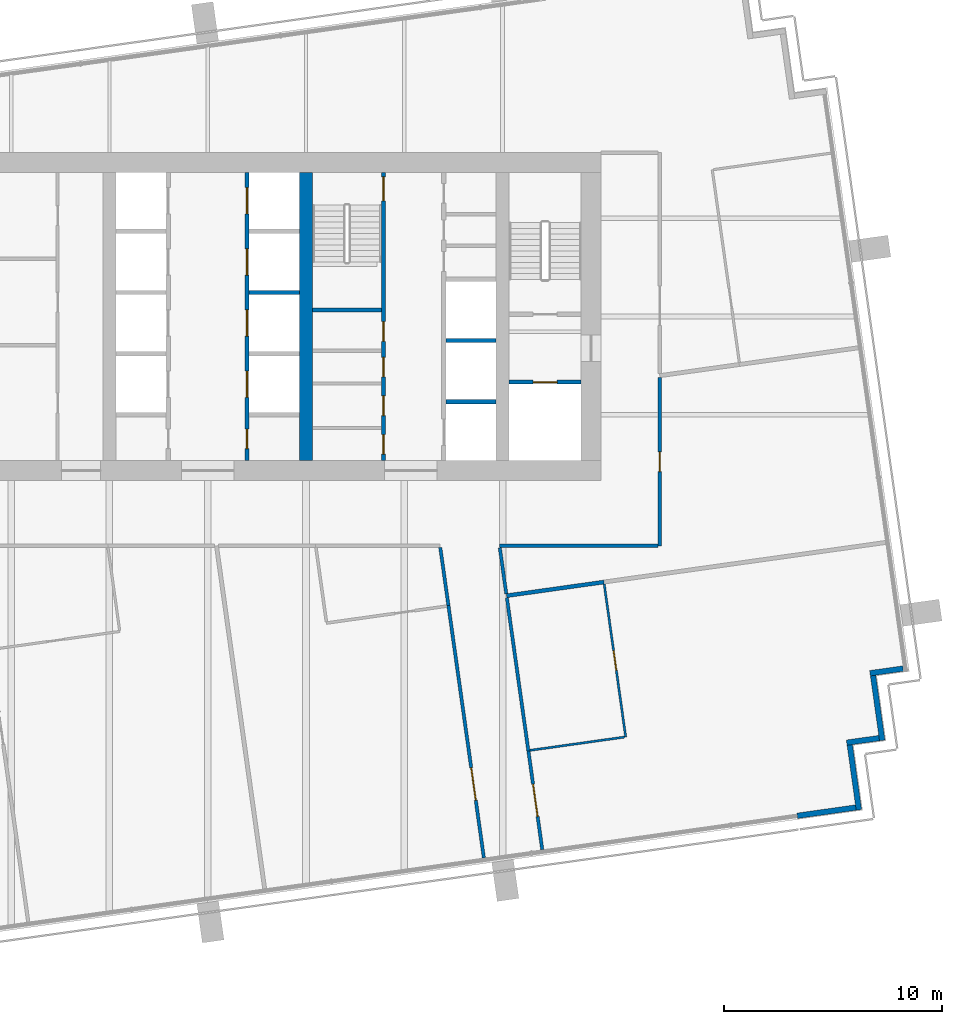
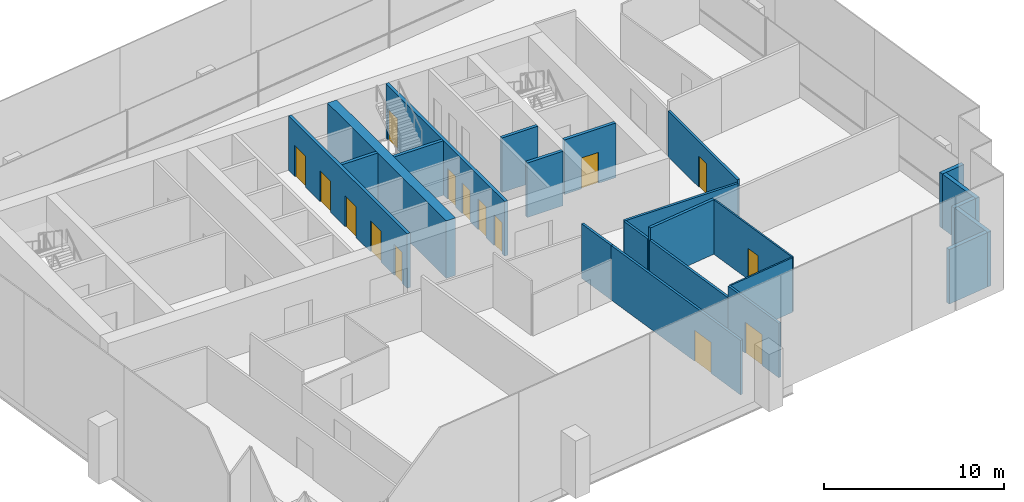
# One storey, part 10 of 17: 23 walls, 15 doors, 15 openings.
"""IFC4 building model written with IfcOpenShell, lengths in metres."""

import ifcopenshell
import ifcopenshell.guid

model = None  # the IFC model being written
_history = None  # IfcOwnerHistory: only IFC2X3 demands one
_inside = {}  # id of a spatial element -> (the spatial element, [elements in it])
_under = {}  # id of a project, library or spatial element -> (it, [spatial elements below it])
_declared = {}  # id of a project -> (the project, [libraries it declares])
_typed = {}  # id of a type object -> (the type object, [elements of that type])
_made_of = {}  # id of a material, layer set ... -> (it, [elements and type objects made of it])


def new_model(schema):
    """Start an empty IFC model of exactly this schema.

    Asked for "IFC4X3", IfcOpenShell would pick the latest addendum, in which some entities
    have other attributes; the version numbers below select the first issue.
    IFC2X3 requires an IfcOwnerHistory on every rooted entity: one is made here for all.
    """
    global model, _history
    if schema == "IFC4X3":
        model = ifcopenshell.file(schema_version=(4, 3, 0, 0))
    else:
        model = ifcopenshell.file(schema=schema)
    _inside.clear()
    _under.clear()
    _declared.clear()
    _typed.clear()
    _made_of.clear()
    _history = None
    if model.schema == "IFC2X3":
        org = make("IfcOrganization", Name="unknown")
        user = make(
            "IfcPersonAndOrganization",
            ThePerson=make("IfcPerson", FamilyName="unknown"),
            TheOrganization=org,
        )
        app = make(
            "IfcApplication",
            ApplicationDeveloper=org,
            Version="unknown",
            ApplicationFullName="unknown",
            ApplicationIdentifier="unknown",
        )
        _history = make(
            "IfcOwnerHistory",
            OwningUser=user,
            OwningApplication=app,
            ChangeAction="ADDED",
            CreationDate=0,
        )
    return model


def make(cls, **values):
    """One entity of the class cls with the attributes given. An attribute that is None is left unset."""
    return model.create_entity(
        cls, **{name: value for name, value in values.items() if value is not None}
    )


def rooted(cls, **values):
    """An entity with a GlobalId (a new one), such as an element, a storey or a relation."""
    return make(cls, GlobalId=ifcopenshell.guid.new(), OwnerHistory=_history, **values)


def si_unit(unit_type, name, prefix=None):
    """IfcSIUnit, for example si_unit("LENGTHUNIT", "METRE", prefix="MILLI")."""
    return make("IfcSIUnit", UnitType=unit_type, Prefix=prefix, Name=name)


def assignment(units):
    """IfcUnitAssignment: the units of a project."""
    return None if units is None else make("IfcUnitAssignment", Units=units)


def point(xyz):
    """IfcCartesianPoint."""
    return None if xyz is None else make("IfcCartesianPoint", Coordinates=xyz)


def direction(xyz):
    """IfcDirection."""
    return None if xyz is None else make("IfcDirection", DirectionRatios=xyz)


def frame(location, z_axis=None, x_axis=None):
    """IfcAxis2Placement3D, a coordinate frame: its origin and axes. An axis left out is left unset."""
    return make(
        "IfcAxis2Placement3D",
        Location=point(location),
        Axis=direction(z_axis),
        RefDirection=direction(x_axis),
    )


def frame_2d(location, x_axis=None):
    """IfcAxis2Placement2D, a coordinate frame in the plane: its origin and x axis."""
    return make(
        "IfcAxis2Placement2D", Location=point(location), RefDirection=direction(x_axis)
    )


def origin():
    """The frame at (0, 0, 0) with its axes left unset."""
    return frame((0.0, 0.0, 0.0))


def place(relative_to, where):
    """IfcLocalPlacement: puts the frame where relative to a parent placement (None: the world)."""
    return make(
        "IfcLocalPlacement", PlacementRelTo=relative_to, RelativePlacement=where
    )


def context(
    kind, dimensions, precision=None, world=None, true_north=None, identifier=None
):
    """IfcGeometricRepresentationContext, for example the 3D "Model" context."""
    return make(
        "IfcGeometricRepresentationContext",
        ContextIdentifier=identifier,
        ContextType=kind,
        CoordinateSpaceDimension=dimensions,
        Precision=precision,
        WorldCoordinateSystem=world,
        TrueNorth=true_north,
    )


def subcontext(parent, identifier, kind, view, scale=None):
    """IfcGeometricRepresentationSubContext, for example "Body" below "Model"."""
    return make(
        "IfcGeometricRepresentationSubContext",
        ContextIdentifier=identifier,
        ContextType=kind,
        ParentContext=parent,
        TargetScale=scale,
        TargetView=view,
    )


def project(units=None, contexts=None):
    """IfcProject with its units and contexts."""
    return rooted(
        "IfcProject",
        Name="project",
        RepresentationContexts=contexts,
        UnitsInContext=assignment(units),
    )


def spatial(cls, under=None, at=None, **own):
    """A site, building, storey or space (cls), placed at a placement, below another one or the project."""
    s = rooted(cls, ObjectPlacement=at, **own)
    if under is not None:
        _under.setdefault(under.id(), (under, []))[1].append(s)
    return s


def profile(cls, at=None, kind="AREA", **sizes):
    """A parametric profile (cls). Its sizes go by their IFC names, for example OverallWidth=200.0."""
    return make(cls, ProfileType=kind, Position=at, **sizes)


def rectangle(**sizes):
    """IfcRectangleProfileDef."""
    return profile("IfcRectangleProfileDef", **sizes)


def extrude(swept, where, along, depth):
    """IfcExtrudedAreaSolid: the profile swept, set in the frame where, extruded along a direction by depth."""
    return make(
        "IfcExtrudedAreaSolid",
        SweptArea=swept,
        Position=where,
        ExtrudedDirection=direction(along),
        Depth=depth,
    )


def shape(context_of_items, identifier, shape_type, items):
    """IfcShapeRepresentation: the items that make up one representation, for example the "Body"."""
    return make(
        "IfcShapeRepresentation",
        ContextOfItems=context_of_items,
        RepresentationIdentifier=identifier,
        RepresentationType=shape_type,
        Items=items,
    )


def material(Name=None, Category=None):
    """IfcMaterial."""
    return make("IfcMaterial", Name=Name, Category=Category)


def layer(
    of_material, thickness, ventilated=None, Name=None, Category=None, Priority=None
):
    """IfcMaterialLayer: one layer of a wall or slab, of a material (None: an air gap)."""
    return make(
        "IfcMaterialLayer",
        Material=of_material,
        LayerThickness=thickness,
        IsVentilated=ventilated,
        Name=Name,
        Category=Category,
        Priority=Priority,
    )


def layer_set(layers, Name=None):
    """IfcMaterialLayerSet."""
    return make("IfcMaterialLayerSet", MaterialLayers=layers, LayerSetName=Name)


def made_of(thing, what):
    """Note that an element or type object is made of a material, layer set ...; save() writes the relation."""
    if what is not None:
        _made_of.setdefault(what.id(), (what, []))[1].append(thing)
    return thing


def type_object(cls, material=None, **own):
    """A type object (cls), such as IfcWallType, which elements share."""
    return made_of(rooted(cls, **own), material)


def element(
    cls,
    number,
    at=None,
    inside=None,
    cuts=None,
    type_object=None,
    material=None,
    context=None,
    identifier="Body",
    shape_type=None,
    held_by="IfcProductDefinitionShape",
    body=None,
    shapes=None,
    **own,
):
    """One element of the class cls, such as IfcWall. Its Tag is "e" and its number.

    at: its placement. inside: the storey or other place that contains it. cuts: it is an
    opening in that element (IfcRelVoidsElement). A single representation is given by context,
    identifier, shape_type and body (its items); several are given by shapes. held_by: the class
    of the entity that holds the representations. save() writes the other relations.
    """
    e = rooted(cls, Tag="e%d" % number, ObjectPlacement=at, **own)
    if body is not None:
        shapes = [shape(context, identifier, shape_type, body)]
    if shapes is not None:
        e.Representation = make(held_by, Representations=shapes)
    if inside is not None:
        _inside.setdefault(inside.id(), (inside, []))[1].append(e)
    if cuts is not None:
        rooted(
            "IfcRelVoidsElement", RelatingBuildingElement=cuts, RelatedOpeningElement=e
        )
    if type_object is not None:
        _typed.setdefault(type_object.id(), (type_object, []))[1].append(e)
    return made_of(e, material)


def fill(opening, filler):
    """IfcRelFillsElement: the door or window that sits in an opening."""
    return rooted(
        "IfcRelFillsElement",
        RelatingOpeningElement=opening,
        RelatedBuildingElement=filler,
    )


def aggregate(whole, parts):
    """IfcRelAggregates: a whole, such as a stair, and the parts it consists of."""
    return rooted("IfcRelAggregates", RelatingObject=whole, RelatedObjects=parts)


def save(model, path):
    """Write the relations noted so far, then the file.

    IfcRelAggregates (storeys below a building ...), IfcRelContainedInSpatialStructure (elements
    in a storey), IfcRelDefinesByType, IfcRelAssociatesMaterial and IfcRelDeclares: one each for
    every whole, place, type object, material and project.
    """
    for whole, parts in _under.values():
        aggregate(whole, parts)
    for where, things in _inside.values():
        rooted(
            "IfcRelContainedInSpatialStructure",
            RelatedElements=things,
            RelatingStructure=where,
        )
    for kind, things in _typed.values():
        rooted("IfcRelDefinesByType", RelatedObjects=things, RelatingType=kind)
    for what, things in _made_of.values():
        rooted("IfcRelAssociatesMaterial", RelatedObjects=things, RelatingMaterial=what)
    for by, libraries in _declared.values():
        rooted("IfcRelDeclares", RelatingContext=by, RelatedDefinitions=libraries)
    model.write(path)


model = new_model("IFC4")

# Units and contexts
model_context = context("Model", 3, precision=1e-05, world=origin(), true_north=direction((0.0, 1.0)))
body_context = subcontext(model_context, "Body", "Model", "MODEL_VIEW")
ifc_project = project(units=[si_unit("LENGTHUNIT", "METRE"), si_unit("AREAUNIT", "SQUARE_METRE"), si_unit("VOLUMEUNIT", "CUBIC_METRE"), si_unit("PLANEANGLEUNIT", "RADIAN"), si_unit("MASSUNIT", "GRAM", prefix="KILO")], contexts=[model_context])

# Site, building, storey
site_placement = place(None, origin())
site = spatial("IfcSite", under=ifc_project, at=site_placement, CompositionType="ELEMENT")
building_placement = place(site_placement, origin())
building = spatial("IfcBuilding", under=site, at=building_placement, Name="Rattan Terrace Tower", CompositionType="ELEMENT")
storey_placement = place(building_placement, frame((0.0, 0.0, 236.89990234375)))
storey = spatial("IfcBuildingStorey", under=building, at=storey_placement, Name="L54", CompositionType="ELEMENT", Elevation=236.89990234375)

# Wall, opening, door
ifc_material_1 = material(Name="Gypsum board partition")
ifc_layer_1 = layer(ifc_material_1, 0.199951171875)
ifc_layer_set_1 = layer_set([ifc_layer_1], Name="Core partition 200")
wall_type_1 = type_object("IfcWallType", Name="Core partition 200", PredefinedType="PARTITIONING", material=ifc_layer_set_1)
wall_1_placement = place(storey_placement, frame((13.800048828125, -3.0, 0.0), z_axis=(0.0, 0.0, 1.0), x_axis=(1.0, 0.0, 0.0)))
wall_1 = element("IfcWall", 1, at=wall_1_placement, inside=storey, type_object=wall_type_1, Name="Fire-fighting lobby wall", PredefinedType="PARTITIONING", context=body_context, shape_type="SweptSolid", body=[
    extrude(rectangle(XDim=3.300048828125, YDim=0.199951171875, at=frame_2d((1.64990234375, 0.0))), origin(), (0.0, 0.0, 1.0), 3.7001953125),
])
opening_1_placement = place(wall_1_placement, frame((1.10009765625, 0.0, 0.0)))
opening_1 = element("IfcOpeningElement", 2, at=opening_1_placement, cuts=wall_1, Name="Opening L54-LD-FF2", PredefinedType="OPENING", context=body_context, shape_type="SweptSolid", body=[
    extrude(rectangle(XDim=1.10009765625, YDim=2.10009765625, at=frame_2d((0.550048828125, 1.050048828125))), frame((0.0, 0.110595703125, 0.0), z_axis=(0.0, -1.0, 0.0), x_axis=(1.0, 0.0, 0.0)), (0.0, 0.0, 1.0), 0.220947265625),
])
ifc_material_2 = material(Name="Brushed stainless landing door panel")
door_type_1 = type_object("IfcDoorType", Name="Core lift landing door 1100", OperationType="DOUBLE_DOOR_SLIDING", PredefinedType="DOOR", material=ifc_material_2)
door_1_placement = place(opening_1_placement, origin())
door_1 = element("IfcDoor", 3, at=door_1_placement, inside=storey, type_object=door_type_1, Name="Door L54-LD-FF2", OperationType="DOUBLE_DOOR_SLIDING", OverallHeight=2.10009765625, OverallWidth=1.10009765625, PredefinedType="DOOR", context=body_context, shape_type="SweptSolid", body=[
    extrude(rectangle(XDim=1.10009765625, YDim=2.10009765625, at=frame_2d((0.550048828125, 1.050048828125))), frame((0.0, 0.02490234375, 0.0), z_axis=(0.0, -1.0, 0.0), x_axis=(1.0, 0.0, 0.0)), (0.0, 0.0, 1.0), 0.050048828125),
])
fill(opening_1, door_1)

# Wall, openings, doors
wall_2_placement = place(storey_placement, frame((8.050048828125, -6.60009765625, 0.0), z_axis=(0.0, 0.0, 1.0), x_axis=(0.0, 1.0, 0.0)))
wall_2 = element("IfcWall", 4, at=wall_2_placement, inside=storey, type_object=wall_type_1, Name="Lobby wall west", PredefinedType="PARTITIONING", context=body_context, shape_type="SweptSolid", body=[
    extrude(rectangle(XDim=13.2001953125, YDim=0.199951171875, at=frame_2d((6.60009765625, 0.0))), origin(), (0.0, 0.0, 1.0), 3.7001953125),
])
opening_2_placement = place(wall_2_placement, frame((0.298095703125, 0.0, 0.0)))
opening_2 = element("IfcOpeningElement", 5, at=opening_2_placement, cuts=wall_2, Name="Opening L54-D012", PredefinedType="OPENING", context=body_context, shape_type="SweptSolid", body=[
    extrude(rectangle(XDim=0.89990234375, YDim=2.10009765625, at=frame_2d((0.449951171875, 1.050048828125))), frame((0.0, 0.110595703125, 0.0), z_axis=(0.0, -1.0, 0.0), x_axis=(1.0, 0.0, 0.0)), (0.0, 0.0, 1.0), 0.220947265625),
])
opening_3_placement = place(wall_2_placement, frame((2.06591796875, 0.0, 0.0)))
opening_3 = element("IfcOpeningElement", 6, at=opening_3_placement, cuts=wall_2, Name="Opening L54-D013", PredefinedType="OPENING", context=body_context, shape_type="SweptSolid", body=[
    extrude(rectangle(XDim=0.89990234375, YDim=2.10009765625, at=frame_2d((0.449951171875, 1.050048828125))), frame((0.0, 0.110595703125, 0.0), z_axis=(0.0, -1.0, 0.0), x_axis=(1.0, 0.0, 0.0)), (0.0, 0.0, 1.0), 0.220947265625),
])
opening_4_placement = place(wall_2_placement, frame((3.833984375, 0.0, 0.0)))
opening_4 = element("IfcOpeningElement", 7, at=opening_4_placement, cuts=wall_2, Name="Opening L54-D014", PredefinedType="OPENING", context=body_context, shape_type="SweptSolid", body=[
    extrude(rectangle(XDim=0.89990234375, YDim=2.10009765625, at=frame_2d((0.449951171875, 1.050048828125))), frame((0.0, 0.110595703125, 0.0), z_axis=(0.0, -1.0, 0.0), x_axis=(1.0, 0.0, 0.0)), (0.0, 0.0, 1.0), 0.220947265625),
])
opening_5_placement = place(wall_2_placement, frame((5.466064453125, 0.0, 0.0)))
opening_5 = element("IfcOpeningElement", 8, at=opening_5_placement, cuts=wall_2, Name="Opening L54-D015", PredefinedType="OPENING", context=body_context, shape_type="SweptSolid", body=[
    extrude(rectangle(XDim=0.89990234375, YDim=2.10009765625, at=frame_2d((0.449951171875, 1.050048828125))), frame((0.0, 0.110595703125, 0.0), z_axis=(0.0, -1.0, 0.0), x_axis=(1.0, 0.0, 0.0)), (0.0, 0.0, 1.0), 0.220947265625),
])
opening_6_placement = place(wall_2_placement, frame((11.89990234375, 0.0, 0.0)))
opening_6 = element("IfcOpeningElement", 9, at=opening_6_placement, cuts=wall_2, Name="Opening L54-D016", PredefinedType="OPENING", context=body_context, shape_type="SweptSolid", body=[
    extrude(rectangle(XDim=1.10009765625, YDim=2.10009765625, at=frame_2d((0.550048828125, 1.050048828125))), frame((0.0, 0.110595703125, 0.0), z_axis=(0.0, -1.0, 0.0), x_axis=(1.0, 0.0, 0.0)), (0.0, 0.0, 1.0), 0.220947265625),
])
ifc_material_3 = material(Name="Hollow-metal fire door leaf")
door_type_2 = type_object("IfcDoorType", Name="Core service room door 900", OperationType="NOTDEFINED", PredefinedType="DOOR", material=ifc_material_3)
door_2_placement = place(opening_5_placement, origin())
door_2 = element("IfcDoor", 10, at=door_2_placement, inside=storey, type_object=door_type_2, Name="Door L54-D015", OperationType="SINGLE_SWING_LEFT", OverallHeight=2.10009765625, OverallWidth=0.89990234375, PredefinedType="DOOR", context=body_context, shape_type="SweptSolid", body=[
    extrude(rectangle(XDim=0.89990234375, YDim=2.10009765625, at=frame_2d((0.449951171875, 1.050048828125))), frame((0.0, 0.02490234375, 0.0), z_axis=(0.0, -1.0, 0.0), x_axis=(1.0, 0.0, 0.0)), (0.0, 0.0, 1.0), 0.050048828125),
])
fill(opening_5, door_2)
ifc_material_4 = material(Name="Hollow-metal fire door leaf")
door_type_3 = type_object("IfcDoorType", Name="Core stair door 1100", OperationType="NOTDEFINED", PredefinedType="DOOR", material=ifc_material_4)
door_3_placement = place(opening_6_placement, origin())
door_3 = element("IfcDoor", 11, at=door_3_placement, inside=storey, type_object=door_type_3, Name="Door L54-D016", OperationType="SINGLE_SWING_RIGHT", OverallHeight=2.10009765625, OverallWidth=1.10009765625, PredefinedType="DOOR", context=body_context, shape_type="SweptSolid", body=[
    extrude(rectangle(XDim=1.10009765625, YDim=2.10009765625, at=frame_2d((0.550048828125, 1.050048828125))), frame((0.0, 0.02490234375, 0.0), z_axis=(0.0, -1.0, 0.0), x_axis=(1.0, 0.0, 0.0)), (0.0, 0.0, 1.0), 0.050048828125),
])
fill(opening_6, door_3)
ifc_material_5 = material(Name="Hollow-metal fire door leaf")
door_type_4 = type_object("IfcDoorType", Name="Core toilet door 900", OperationType="NOTDEFINED", PredefinedType="DOOR", material=ifc_material_5)
door_4_placement = place(opening_2_placement, origin())
door_4 = element("IfcDoor", 12, at=door_4_placement, inside=storey, type_object=door_type_4, Name="Door L54-D012", OperationType="SINGLE_SWING_RIGHT", OverallHeight=2.10009765625, OverallWidth=0.89990234375, PredefinedType="DOOR", context=body_context, shape_type="SweptSolid", body=[
    extrude(rectangle(XDim=0.89990234375, YDim=2.10009765625, at=frame_2d((0.449951171875, 1.050048828125))), frame((0.0, 0.02490234375, 0.0), z_axis=(0.0, -1.0, 0.0), x_axis=(1.0, 0.0, 0.0)), (0.0, 0.0, 1.0), 0.050048828125),
])
fill(opening_2, door_4)
door_5_placement = place(opening_3_placement, origin())
door_5 = element("IfcDoor", 13, at=door_5_placement, inside=storey, type_object=door_type_4, Name="Door L54-D013", OperationType="SINGLE_SWING_LEFT", OverallHeight=2.10009765625, OverallWidth=0.89990234375, PredefinedType="DOOR", context=body_context, shape_type="SweptSolid", body=[
    extrude(rectangle(XDim=0.89990234375, YDim=2.10009765625, at=frame_2d((0.449951171875, 1.050048828125))), frame((0.0, 0.02490234375, 0.0), z_axis=(0.0, -1.0, 0.0), x_axis=(1.0, 0.0, 0.0)), (0.0, 0.0, 1.0), 0.050048828125),
])
fill(opening_3, door_5)
door_6_placement = place(opening_4_placement, origin())
door_6 = element("IfcDoor", 14, at=door_6_placement, inside=storey, type_object=door_type_4, Name="Door L54-D014", OperationType="SINGLE_SWING_RIGHT", OverallHeight=2.10009765625, OverallWidth=0.89990234375, PredefinedType="DOOR", context=body_context, shape_type="SweptSolid", body=[
    extrude(rectangle(XDim=0.89990234375, YDim=2.10009765625, at=frame_2d((0.449951171875, 1.050048828125))), frame((0.0, 0.02490234375, 0.0), z_axis=(0.0, -1.0, 0.0), x_axis=(1.0, 0.0, 0.0)), (0.0, 0.0, 1.0), 0.050048828125),
])
fill(opening_4, door_6)

# Walls
wall_3_placement = place(storey_placement, frame((4.800048828125, 0.300048828125, 0.0), z_axis=(0.0, 0.0, 1.0), x_axis=(1.0, 0.0, 0.0)))
element("IfcWall", 15, at=wall_3_placement, inside=storey, type_object=wall_type_1, Name="Stair enclosure wall", PredefinedType="PARTITIONING", context=body_context, shape_type="SweptSolid", body=[
    extrude(rectangle(XDim=3.14990234375, YDim=0.199951171875, at=frame_2d((1.574951171875, 0.0))), origin(), (0.0, 0.0, 1.0), 3.7001953125),
])
ifc_material_6 = material(Name="Concrete C50/60", Category="concrete")
ifc_layer_2 = layer(ifc_material_6, 0.60009765625)
ifc_layer_set_2 = layer_set([ifc_layer_2], Name="Core spine wall 600 C50/60")
wall_type_2 = type_object("IfcWallType", Name="Core spine wall 600 C50/60", PredefinedType="SHEAR", material=ifc_layer_set_2)
wall_4_placement = place(storey_placement, frame((4.5, -6.60009765625, -0.199951171875), z_axis=(0.0, 0.0, 1.0), x_axis=(0.0, 1.0, 0.0)))
element("IfcWall", 16, at=wall_4_placement, inside=storey, type_object=wall_type_2, Name="Core spine wall 3", PredefinedType="SHEAR", context=body_context, shape_type="SweptSolid", body=[
    extrude(rectangle(XDim=13.2001953125, YDim=0.60009765625, at=frame_2d((6.60009765625, 0.0))), origin(), (0.0, 0.0, 1.0), 3.900146484375),
])
ifc_material_7 = material(Name="Insulated aluminium-clad stud wall", Category="aluminium")
ifc_layer_3 = layer(ifc_material_7, 0.25)
ifc_layer_set_3 = layer_set([ifc_layer_3], Name="Facade Riser Wall 250")
wall_type_3 = type_object("IfcWallType", Name="Facade Riser Wall 250", PredefinedType="SOLIDWALL", material=ifc_layer_set_3)
wall_5_placement = place(storey_placement, frame((26.995361328125, -22.858642578125, 0.0), z_axis=(0.0, 0.0, 1.0), x_axis=(0.99024510326, 0.139336411139, 0.0)))
element("IfcWall", 17, at=wall_5_placement, inside=storey, type_object=wall_type_3, Name="Riser wall L54-1", PredefinedType="SOLIDWALL", context=body_context, shape_type="SweptSolid", body=[
    extrude(rectangle(XDim=2.705322265625, YDim=0.25, at=frame_2d((1.3525390625, 0.0))), origin(), (0.0, 0.0, 1.0), 3.7001953125),
])
wall_6_placement = place(storey_placement, frame((29.8154296875, -22.588134765625, 0.0), z_axis=(0.0, 0.0, 1.0), x_axis=(-0.138983028379, 0.9902947631, 0.0)))
element("IfcWall", 18, at=wall_6_placement, inside=storey, type_object=wall_type_3, Name="Riser wall L54-2", PredefinedType="SOLIDWALL", context=body_context, shape_type="SweptSolid", body=[
    extrude(rectangle(XDim=3.000244140625, YDim=0.25, at=frame_2d((1.5, 0.0))), origin(), (0.0, 0.0, 1.0), 3.7001953125),
])
wall_7_placement = place(storey_placement, frame((29.25732421875, -19.510498046875, 0.0), z_axis=(0.0, 0.0, 1.0), x_axis=(0.990330117064, 0.138730887823, 0.0)))
element("IfcWall", 19, at=wall_7_placement, inside=storey, type_object=wall_type_3, Name="Riser wall L54-3", PredefinedType="SOLIDWALL", context=body_context, shape_type="SweptSolid", body=[
    extrude(rectangle(XDim=1.499267578125, YDim=0.25, at=frame_2d((0.74951171875, 0.0))), origin(), (0.0, 0.0, 1.0), 3.7001953125),
])
wall_8_placement = place(storey_placement, frame((30.88330078125, -19.408935546875, 0.0), z_axis=(0.0, 0.0, 1.0), x_axis=(-0.139324658755, 0.990246756855, 0.0)))
element("IfcWall", 20, at=wall_8_placement, inside=storey, type_object=wall_type_3, Name="Riser wall L54-4", PredefinedType="SOLIDWALL", context=body_context, shape_type="SweptSolid", body=[
    extrude(rectangle(XDim=3.0, YDim=0.25, at=frame_2d((1.5, 0.0))), origin(), (0.0, 0.0, 1.0), 3.7001953125),
])
wall_9_placement = place(storey_placement, frame((30.32421875, -16.331787109375, 0.0), z_axis=(0.0, 0.0, 1.0), x_axis=(0.990238641016, 0.139382329723, 0.0)))
element("IfcWall", 21, at=wall_9_placement, inside=storey, type_object=wall_type_3, Name="Riser wall L54-5", PredefinedType="SOLIDWALL", context=body_context, shape_type="SweptSolid", body=[
    extrude(rectangle(XDim=1.525634765625, YDim=0.25, at=frame_2d((0.7626953125, 0.0))), origin(), (0.0, 0.0, 1.0), 3.7001953125),
])
ifc_material_8 = material(Name="Double steel stud acoustic partition, gypsum board, mineral wool, fire rated", Category="steel")
ifc_layer_4 = layer(ifc_material_8, 0.179931640625)
ifc_layer_set_4 = layer_set([ifc_layer_4], Name="Floors Acoustic Party Wall 180")
wall_type_4 = type_object("IfcWallType", Name="Floors Acoustic Party Wall 180", PredefinedType="PARTITIONING", material=ifc_layer_set_4)
wall_10_placement = place(storey_placement, frame((13.68505859375, -12.782958984375, 0.0), z_axis=(0.0, 0.0, 1.0), x_axis=(0.99027667576, 0.139111845094, 0.0)))
element("IfcWall", 22, at=wall_10_placement, inside=storey, type_object=wall_type_4, Name="pt-L54-023", PredefinedType="PARTITIONING", context=body_context, shape_type="SweptSolid", body=[
    extrude(rectangle(XDim=4.499755859375, YDim=0.179931640625, at=frame_2d((2.25, 0.0))), origin(), (0.0, 0.0, 1.0), 3.7001953125),
])
ifc_material_9 = material(Name="Gypsum board partition on steel studs", Category="steel")
ifc_layer_5 = layer(ifc_material_9, 0.10009765625)
ifc_layer_set_5 = layer_set([ifc_layer_5], Name="Floors Partition 100")
wall_type_5 = type_object("IfcWallType", Name="Floors Partition 100", PredefinedType="PARTITIONING", material=ifc_layer_set_5)
wall_11_placement = place(storey_placement, frame((14.7548828125, -19.863037109375, 0.0), z_axis=(0.0, 0.0, 1.0), x_axis=(0.990258502699, 0.139241149923, 0.0)))
element("IfcWall", 23, at=wall_11_placement, inside=storey, type_object=wall_type_5, Name="pt-L54-020", PredefinedType="PARTITIONING", context=body_context, shape_type="SweptSolid", body=[
    extrude(rectangle(XDim=4.374755859375, YDim=0.10009765625, at=frame_2d((2.1875, 0.0))), origin(), (0.0, 0.0, 1.0), 3.7001953125),
])

# Wall, opening, door
wall_12_placement = place(storey_placement, frame((19.136962890625, -19.2470703125, 0.0), z_axis=(0.0, 0.0, 1.0), x_axis=(-0.139168056016, 0.990268777749, 0.0)))
wall_12 = element("IfcWall", 24, at=wall_12_placement, inside=storey, type_object=wall_type_5, Name="pt-L54-021", PredefinedType="PARTITIONING", context=body_context, shape_type="SweptSolid", body=[
    extrude(rectangle(XDim=7.06982421875, YDim=0.10009765625, at=frame_2d((3.534912109375, 0.0))), origin(), (0.0, 0.0, 1.0), 3.7001953125),
])
opening_7_placement = place(wall_12_placement, frame((3.0849609375, 0.0, 0.0)))
opening_7 = element("IfcOpeningElement", 25, at=opening_7_placement, cuts=wall_12, Name="Opening L54-D102", PredefinedType="OPENING", context=body_context, shape_type="SweptSolid", body=[
    extrude(rectangle(XDim=0.89990234375, YDim=2.10009765625, at=frame_2d((0.449951171875, 1.050048828125))), frame((0.0, 0.060546875, 0.0), z_axis=(0.0, -1.0, 0.0), x_axis=(1.0, 0.0, 0.0)), (0.0, 0.0, 1.0), 0.12109375),
])
ifc_material_10 = material(Name="Solid core timber door, painted", Category="wood")
door_type_5 = type_object("IfcDoorType", Name="Floors Door 900x2100", OperationType="NOTDEFINED", PredefinedType="DOOR", material=ifc_material_10)
door_7_placement = place(opening_7_placement, origin())
door_7 = element("IfcDoor", 26, at=door_7_placement, inside=storey, type_object=door_type_5, Name="d-L54-102", OperationType="SINGLE_SWING_LEFT", OverallHeight=2.10009765625, OverallWidth=0.89990234375, PredefinedType="DOOR", context=body_context, shape_type="SweptSolid", body=[
    extrude(rectangle(XDim=0.89990234375, YDim=2.10009765625, at=frame_2d((0.449951171875, 1.050048828125))), frame((0.0, 0.02490234375, 0.0), z_axis=(0.0, -1.0, 0.0), x_axis=(1.0, 0.0, 0.0)), (0.0, 0.0, 1.0), 0.050048828125),
])
fill(opening_7, door_7)

ifc_material_11 = material(Name="Gypsum board partition on steel studs, fire rated", Category="steel")
ifc_layer_6 = layer(ifc_material_11, 0.14990234375)
ifc_layer_set_6 = layer_set([ifc_layer_6], Name="Floors Tenancy Wall 150")
wall_type_6 = type_object("IfcWallType", Name="Floors Tenancy Wall 150", PredefinedType="PARTITIONING", material=ifc_layer_set_6)
wall_13_placement = place(storey_placement, frame((14.68310546875, -19.89306640625, 0.0), z_axis=(0.0, 0.0, 1.0), x_axis=(0.139247448871, -0.990257616978, 0.0)))
wall_13 = element("IfcWall", 27, at=wall_13_placement, inside=storey, type_object=wall_type_6, Name="pt-L54-004", PredefinedType="PARTITIONING", context=body_context, shape_type="SweptSolid", body=[
    extrude(rectangle(XDim=4.560302734375, YDim=0.14990234375, at=frame_2d((2.2802734375, 0.0))), origin(), (0.0, 0.0, 1.0), 3.7001953125),
])
opening_8_placement = place(wall_13_placement, frame((1.530029296875, 0.0, 0.0)))
opening_8 = element("IfcOpeningElement", 28, at=opening_8_placement, cuts=wall_13, Name="Opening L54-D101", PredefinedType="OPENING", context=body_context, shape_type="SweptSolid", body=[
    extrude(rectangle(XDim=1.5, YDim=2.10009765625, at=frame_2d((0.75, 1.050048828125))), frame((0.0, 0.08544921875, 0.0), z_axis=(0.0, -1.0, 0.0), x_axis=(1.0, 0.0, 0.0)), (0.0, 0.0, 1.0), 0.1708984375),
])
ifc_material_12 = material(Name="Steel fire door set", Category="steel")
door_type_6 = type_object("IfcDoorType", Name="Floors Unit Door Pair FD30S 1500x2100", OperationType="NOTDEFINED", PredefinedType="DOOR", material=ifc_material_12)
door_8_placement = place(opening_8_placement, origin())
door_8 = element("IfcDoor", 29, at=door_8_placement, inside=storey, type_object=door_type_6, Name="d-L54-101", OperationType="DOUBLE_DOOR_SINGLE_SWING", OverallHeight=2.10009765625, OverallWidth=1.5, PredefinedType="DOOR", context=body_context, shape_type="SweptSolid", body=[
    extrude(rectangle(XDim=1.5, YDim=2.10009765625, at=frame_2d((0.75, 1.050048828125))), frame((0.0, 0.02490234375, 0.0), z_axis=(0.0, -1.0, 0.0), x_axis=(1.0, 0.0, 0.0)), (0.0, 0.0, 1.0), 0.050048828125),
])
fill(opening_8, door_8)

# Walls
wall_14_placement = place(storey_placement, frame((13.696044921875, -12.8720703125, 0.0), z_axis=(0.0, 0.0, 1.0), x_axis=(0.139217899128, -0.990261771736, 0.0)))
element("IfcWall", 30, at=wall_14_placement, inside=storey, type_object=wall_type_6, Name="pt-L54-005", PredefinedType="PARTITIONING", context=body_context, shape_type="SweptSolid", body=[
    extrude(rectangle(XDim=7.090087890625, YDim=0.14990234375, at=frame_2d((3.544921875, 0.0))), origin(), (0.0, 0.0, 1.0), 2.900146484375),
])
wall_15_placement = place(storey_placement, frame((13.3740234375, -10.5859375, 0.0), z_axis=(0.0, 0.0, 1.0), x_axis=(0.13899652087, -0.990292869401, 0.0)))
element("IfcWall", 31, at=wall_15_placement, inside=storey, type_object=wall_type_6, Name="pt-L54-006", PredefinedType="PARTITIONING", context=body_context, shape_type="SweptSolid", body=[
    extrude(rectangle(XDim=2.12890625, YDim=0.14990234375, at=frame_2d((1.064453125, 0.0))), origin(), (0.0, 0.0, 1.0), 2.900146484375),
])
wall_16_placement = place(storey_placement, frame((20.625, -10.5, 0.0), z_axis=(0.0, 0.0, 1.0), x_axis=(-1.0, 0.0, 0.0)))
element("IfcWall", 32, at=wall_16_placement, inside=storey, type_object=wall_type_6, Name="pt-L54-007", PredefinedType="PARTITIONING", context=body_context, shape_type="SweptSolid", body=[
    extrude(rectangle(XDim=7.261962890625, YDim=0.14990234375, at=frame_2d((3.630859375, 0.0))), origin(), (0.0, 0.0, 1.0), 2.900146484375),
])

# Wall, opening, door
wall_17_placement = place(storey_placement, frame((20.699951171875, -2.797119140625, 0.0), z_axis=(0.0, 0.0, 1.0), x_axis=(0.0, -1.0, 0.0)))
wall_17 = element("IfcWall", 33, at=wall_17_placement, inside=storey, type_object=wall_type_6, Name="pt-L54-008", PredefinedType="PARTITIONING", context=body_context, shape_type="SweptSolid", body=[
    extrude(rectangle(XDim=7.702880859375, YDim=0.14990234375, at=frame_2d((3.8515625, 0.0))), origin(), (0.0, 0.0, 1.0), 3.10009765625),
])
opening_9_placement = place(wall_17_placement, frame((3.40087890625, 0.0, 0.0)))
opening_9 = element("IfcOpeningElement", 34, at=opening_9_placement, cuts=wall_17, Name="Opening L54-D103", PredefinedType="OPENING", context=body_context, shape_type="SweptSolid", body=[
    extrude(rectangle(XDim=0.89990234375, YDim=2.10009765625, at=frame_2d((0.449951171875, 1.050048828125))), frame((0.0, 0.08544921875, 0.0), z_axis=(0.0, -1.0, 0.0), x_axis=(1.0, 0.0, 0.0)), (0.0, 0.0, 1.0), 0.1708984375),
])
ifc_material_13 = material(Name="Steel fire door set", Category="steel")
door_type_7 = type_object("IfcDoorType", Name="Floors Fire Door FD30S 900x2100", OperationType="NOTDEFINED", PredefinedType="DOOR", material=ifc_material_13)
door_9_placement = place(opening_9_placement, origin())
door_9 = element("IfcDoor", 35, at=door_9_placement, inside=storey, type_object=door_type_7, Name="d-L54-103", OperationType="SINGLE_SWING_RIGHT", OverallHeight=2.10009765625, OverallWidth=0.89990234375, PredefinedType="DOOR", context=body_context, shape_type="SweptSolid", body=[
    extrude(rectangle(XDim=0.89990234375, YDim=2.10009765625, at=frame_2d((0.449951171875, 1.050048828125))), frame((0.0, 0.02490234375, 0.0), z_axis=(0.0, -1.0, 0.0), x_axis=(1.0, 0.0, 0.0)), (0.0, 0.0, 1.0), 0.050048828125),
])
fill(opening_9, door_9)

wall_18_placement = place(storey_placement, frame((12.64404296875, -24.784912109375, 0.0), z_axis=(0.0, 0.0, 1.0), x_axis=(-0.139086535292, 0.990280230894, 0.0)))
wall_18 = element("IfcWall", 36, at=wall_18_placement, inside=storey, type_object=wall_type_6, Name="pt-L54-017", PredefinedType="PARTITIONING", context=body_context, shape_type="SweptSolid", body=[
    extrude(rectangle(XDim=11.66943359375, YDim=0.14990234375, at=frame_2d((5.834716796875, 0.0))), origin(), (0.0, 0.0, 1.0), 3.7001953125),
])
opening_10_placement = place(wall_18_placement, frame((2.6669921875, 0.0, 0.0)))
opening_10 = element("IfcOpeningElement", 37, at=opening_10_placement, cuts=wall_18, Name="Opening L54-D108", PredefinedType="OPENING", context=body_context, shape_type="SweptSolid", body=[
    extrude(rectangle(XDim=1.5, YDim=2.10009765625, at=frame_2d((0.75, 1.050048828125))), frame((0.0, 0.08544921875, 0.0), z_axis=(0.0, -1.0, 0.0), x_axis=(1.0, 0.0, 0.0)), (0.0, 0.0, 1.0), 0.1708984375),
])
door_10_placement = place(opening_10_placement, origin())
door_10 = element("IfcDoor", 38, at=door_10_placement, inside=storey, type_object=door_type_6, Name="d-L54-108", OperationType="DOUBLE_DOOR_SINGLE_SWING", OverallHeight=2.10009765625, OverallWidth=1.5, PredefinedType="DOOR", context=body_context, shape_type="SweptSolid", body=[
    extrude(rectangle(XDim=1.5, YDim=2.10009765625, at=frame_2d((0.75, 1.050048828125))), frame((0.0, 0.02490234375, 0.0), z_axis=(0.0, -1.0, 0.0), x_axis=(1.0, 0.0, 0.0)), (0.0, 0.0, 1.0), 0.050048828125),
])
fill(opening_10, door_10)

# Wall
wall_19_placement = place(storey_placement, frame((11.02099609375, -13.22802734375, 0.0), z_axis=(0.0, 0.0, 1.0), x_axis=(-0.139139027609, 0.990272856841, 0.0)))
element("IfcWall", 39, at=wall_19_placement, inside=storey, type_object=wall_type_6, Name="pt-L54-019", PredefinedType="PARTITIONING", context=body_context, shape_type="SweptSolid", body=[
    extrude(rectangle(XDim=2.68115234375, YDim=0.14990234375, at=frame_2d((1.340576171875, 0.0))), origin(), (0.0, 0.0, 1.0), 3.7001953125),
])

# Wall, openings, doors
ifc_material_14 = material(Name="Gypsum shaft wall system")
ifc_layer_7 = layer(ifc_material_14, 0.199951171875)
ifc_layer_set_7 = layer_set([ifc_layer_7], Name="Lift shaft wall 200")
wall_type_7 = type_object("IfcWallType", Name="Lift shaft wall 200", PredefinedType="PARTITIONING", material=ifc_layer_set_7)
wall_20_placement = place(storey_placement, frame((1.800048828125, -6.60009765625, 0.0), z_axis=(0.0, 0.0, 1.0), x_axis=(0.0, 1.0, 0.0)))
wall_20 = element("IfcWall", 40, at=wall_20_placement, inside=storey, type_object=wall_type_7, Name="Lift shaft front wall", PredefinedType="PARTITIONING", context=body_context, shape_type="SweptSolid", body=[
    extrude(rectangle(XDim=13.2001953125, YDim=0.199951171875, at=frame_2d((6.60009765625, 0.0))), origin(), (0.0, 0.0, 1.0), 3.7001953125),
])
opening_11_placement = place(wall_20_placement, frame((0.550048828125, 0.0, 0.0)))
opening_11 = element("IfcOpeningElement", 41, at=opening_11_placement, cuts=wall_20, Name="Opening L54-D010", PredefinedType="OPENING", context=body_context, shape_type="SweptSolid", body=[
    extrude(rectangle(XDim=0.89990234375, YDim=2.10009765625, at=frame_2d((0.449951171875, 1.050048828125))), frame((0.0, 0.110595703125, 0.0), z_axis=(0.0, -1.0, 0.0), x_axis=(1.0, 0.0, 0.0)), (0.0, 0.0, 1.0), 0.220947265625),
])
opening_12_placement = place(wall_20_placement, frame((2.89990234375, 0.0, 0.0)))
opening_12 = element("IfcOpeningElement", 42, at=opening_12_placement, cuts=wall_20, Name="Opening L54-LD-HR5", PredefinedType="OPENING", context=body_context, shape_type="SweptSolid", body=[
    extrude(rectangle(XDim=1.199951171875, YDim=2.10009765625, at=frame_2d((0.60009765625, 1.050048828125))), frame((0.0, 0.110595703125, 0.0), z_axis=(0.0, -1.0, 0.0), x_axis=(1.0, 0.0, 0.0)), (0.0, 0.0, 1.0), 0.220947265625),
])
opening_13_placement = place(wall_20_placement, frame((5.699951171875, 0.0, 0.0)))
opening_13 = element("IfcOpeningElement", 43, at=opening_13_placement, cuts=wall_20, Name="Opening L54-LD-HR6", PredefinedType="OPENING", context=body_context, shape_type="SweptSolid", body=[
    extrude(rectangle(XDim=1.199951171875, YDim=2.10009765625, at=frame_2d((0.60009765625, 1.050048828125))), frame((0.0, 0.110595703125, 0.0), z_axis=(0.0, -1.0, 0.0), x_axis=(1.0, 0.0, 0.0)), (0.0, 0.0, 1.0), 0.220947265625),
])
opening_14_placement = place(wall_20_placement, frame((8.5, 0.0, 0.0)))
opening_14 = element("IfcOpeningElement", 44, at=opening_14_placement, cuts=wall_20, Name="Opening L54-LD-HR7", PredefinedType="OPENING", context=body_context, shape_type="SweptSolid", body=[
    extrude(rectangle(XDim=1.199951171875, YDim=2.10009765625, at=frame_2d((0.60009765625, 1.050048828125))), frame((0.0, 0.110595703125, 0.0), z_axis=(0.0, -1.0, 0.0), x_axis=(1.0, 0.0, 0.0)), (0.0, 0.0, 1.0), 0.220947265625),
])
opening_15_placement = place(wall_20_placement, frame((11.300048828125, 0.0, 0.0)))
opening_15 = element("IfcOpeningElement", 45, at=opening_15_placement, cuts=wall_20, Name="Opening L54-LD-HR8", PredefinedType="OPENING", context=body_context, shape_type="SweptSolid", body=[
    extrude(rectangle(XDim=1.199951171875, YDim=2.10009765625, at=frame_2d((0.60009765625, 1.050048828125))), frame((0.0, 0.110595703125, 0.0), z_axis=(0.0, -1.0, 0.0), x_axis=(1.0, 0.0, 0.0)), (0.0, 0.0, 1.0), 0.220947265625),
])
ifc_material_15 = material(Name="Brushed stainless landing door panel")
door_type_8 = type_object("IfcDoorType", Name="Core lift landing door 1200", OperationType="DOUBLE_DOOR_SLIDING", PredefinedType="DOOR", material=ifc_material_15)
door_11_placement = place(opening_12_placement, origin())
door_11 = element("IfcDoor", 46, at=door_11_placement, inside=storey, type_object=door_type_8, Name="Door L54-LD-HR5", OperationType="DOUBLE_DOOR_SLIDING", OverallHeight=2.10009765625, OverallWidth=1.199951171875, PredefinedType="DOOR", context=body_context, shape_type="SweptSolid", body=[
    extrude(rectangle(XDim=1.199951171875, YDim=2.10009765625, at=frame_2d((0.60009765625, 1.050048828125))), frame((0.0, 0.02490234375, 0.0), z_axis=(0.0, -1.0, 0.0), x_axis=(1.0, 0.0, 0.0)), (0.0, 0.0, 1.0), 0.050048828125),
])
fill(opening_12, door_11)
door_12_placement = place(opening_13_placement, origin())
door_12 = element("IfcDoor", 47, at=door_12_placement, inside=storey, type_object=door_type_8, Name="Door L54-LD-HR6", OperationType="DOUBLE_DOOR_SLIDING", OverallHeight=2.10009765625, OverallWidth=1.199951171875, PredefinedType="DOOR", context=body_context, shape_type="SweptSolid", body=[
    extrude(rectangle(XDim=1.199951171875, YDim=2.10009765625, at=frame_2d((0.60009765625, 1.050048828125))), frame((0.0, 0.02490234375, 0.0), z_axis=(0.0, -1.0, 0.0), x_axis=(1.0, 0.0, 0.0)), (0.0, 0.0, 1.0), 0.050048828125),
])
fill(opening_13, door_12)
door_13_placement = place(opening_14_placement, origin())
door_13 = element("IfcDoor", 48, at=door_13_placement, inside=storey, type_object=door_type_8, Name="Door L54-LD-HR7", OperationType="DOUBLE_DOOR_SLIDING", OverallHeight=2.10009765625, OverallWidth=1.199951171875, PredefinedType="DOOR", context=body_context, shape_type="SweptSolid", body=[
    extrude(rectangle(XDim=1.199951171875, YDim=2.10009765625, at=frame_2d((0.60009765625, 1.050048828125))), frame((0.0, 0.02490234375, 0.0), z_axis=(0.0, -1.0, 0.0), x_axis=(1.0, 0.0, 0.0)), (0.0, 0.0, 1.0), 0.050048828125),
])
fill(opening_14, door_13)
door_14_placement = place(opening_15_placement, origin())
door_14 = element("IfcDoor", 49, at=door_14_placement, inside=storey, type_object=door_type_8, Name="Door L54-LD-HR8", OperationType="DOUBLE_DOOR_SLIDING", OverallHeight=2.10009765625, OverallWidth=1.199951171875, PredefinedType="DOOR", context=body_context, shape_type="SweptSolid", body=[
    extrude(rectangle(XDim=1.199951171875, YDim=2.10009765625, at=frame_2d((0.60009765625, 1.050048828125))), frame((0.0, 0.02490234375, 0.0), z_axis=(0.0, -1.0, 0.0), x_axis=(1.0, 0.0, 0.0)), (0.0, 0.0, 1.0), 0.050048828125),
])
fill(opening_15, door_14)
ifc_material_16 = material(Name="Hollow-metal fire door leaf")
door_type_9 = type_object("IfcDoorType", Name="Core riser door 900", OperationType="NOTDEFINED", PredefinedType="DOOR", material=ifc_material_16)
door_15_placement = place(opening_11_placement, origin())
door_15 = element("IfcDoor", 50, at=door_15_placement, inside=storey, type_object=door_type_9, Name="Door L54-D010", OperationType="SINGLE_SWING_LEFT", OverallHeight=2.10009765625, OverallWidth=0.89990234375, PredefinedType="DOOR", context=body_context, shape_type="SweptSolid", body=[
    extrude(rectangle(XDim=0.89990234375, YDim=2.10009765625, at=frame_2d((0.449951171875, 1.050048828125))), frame((0.0, 0.02490234375, 0.0), z_axis=(0.0, -1.0, 0.0), x_axis=(1.0, 0.0, 0.0)), (0.0, 0.0, 1.0), 0.050048828125),
])
fill(opening_11, door_15)

# Walls
for number, where, z_axis, x_axis, name in (
    (51, (1.89990234375, 1.10009765625, 0.0), (0.0, 0.0, 1.0), (1.0, 0.0, 0.0), "Lift shaft wall"),
    (52, (10.89990234375, -3.89990234375, 0.0), (0.0, 0.0, 1.0), (1.0, 0.0, 0.0), "Lift shaft wall"),
    (53, (10.89990234375, -1.10009765625, 0.0), (0.0, 0.0, 1.0), (1.0, 0.0, 0.0), "Lift shaft wall"),
):
    element("IfcWall", number, at=place(storey_placement, frame(where, z_axis=z_axis, x_axis=x_axis)), inside=storey, type_object=wall_type_7, Name=name, PredefinedType="PARTITIONING", context=body_context, shape_type="SweptSolid", body=[
        extrude(rectangle(XDim=2.300048828125, YDim=0.199951171875, at=frame_2d((1.14990234375, 0.0))), origin(), (0.0, 0.0, 1.0), 3.7001953125),
    ])

save(model, "model.ifc")
